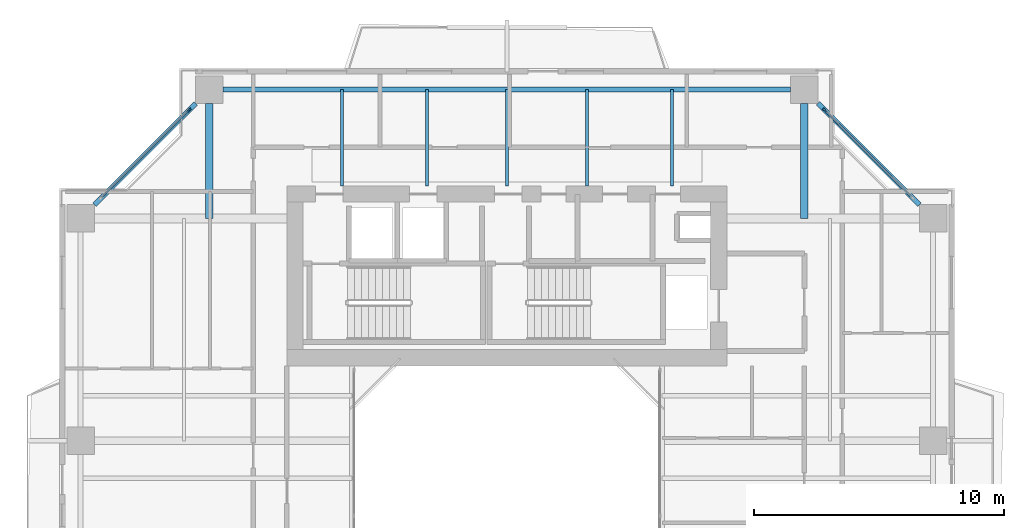
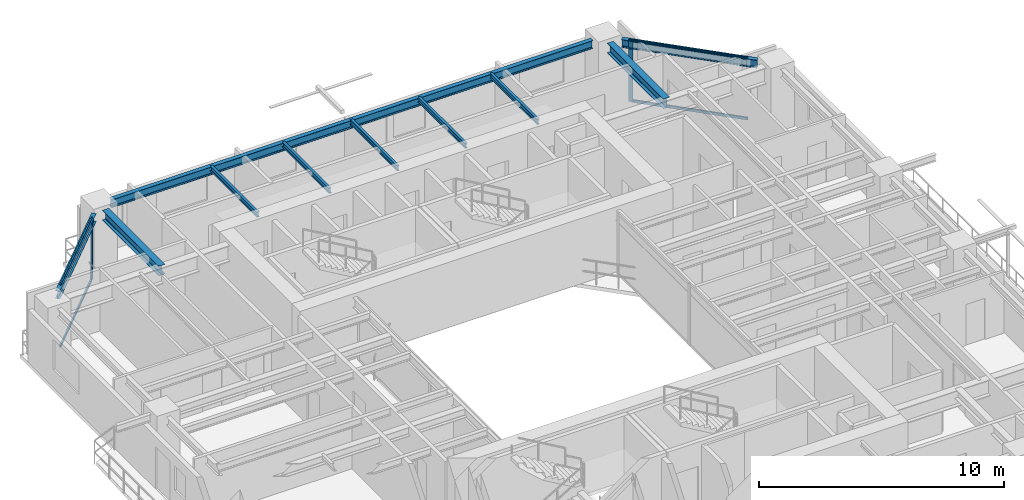
# One storey, part 8 of 17: 10 beams, 6 members, 2 elements without a shape of their own.
"""IFC4 building model written with IfcOpenShell, lengths in metres."""

import ifcopenshell
import ifcopenshell.guid

model = None  # the IFC model being written
_history = None  # IfcOwnerHistory: only IFC2X3 demands one
_inside = {}  # id of a spatial element -> (the spatial element, [elements in it])
_under = {}  # id of a project, library or spatial element -> (it, [spatial elements below it])
_declared = {}  # id of a project -> (the project, [libraries it declares])
_typed = {}  # id of a type object -> (the type object, [elements of that type])
_made_of = {}  # id of a material, layer set ... -> (it, [elements and type objects made of it])


def new_model(schema):
    """Start an empty IFC model of exactly this schema.

    Asked for "IFC4X3", IfcOpenShell would pick the latest addendum, in which some entities
    have other attributes; the version numbers below select the first issue.
    IFC2X3 requires an IfcOwnerHistory on every rooted entity: one is made here for all.
    """
    global model, _history
    if schema == "IFC4X3":
        model = ifcopenshell.file(schema_version=(4, 3, 0, 0))
    else:
        model = ifcopenshell.file(schema=schema)
    _inside.clear()
    _under.clear()
    _declared.clear()
    _typed.clear()
    _made_of.clear()
    _history = None
    if model.schema == "IFC2X3":
        org = make("IfcOrganization", Name="unknown")
        user = make(
            "IfcPersonAndOrganization",
            ThePerson=make("IfcPerson", FamilyName="unknown"),
            TheOrganization=org,
        )
        app = make(
            "IfcApplication",
            ApplicationDeveloper=org,
            Version="unknown",
            ApplicationFullName="unknown",
            ApplicationIdentifier="unknown",
        )
        _history = make(
            "IfcOwnerHistory",
            OwningUser=user,
            OwningApplication=app,
            ChangeAction="ADDED",
            CreationDate=0,
        )
    return model


def make(cls, **values):
    """One entity of the class cls with the attributes given. An attribute that is None is left unset."""
    return model.create_entity(
        cls, **{name: value for name, value in values.items() if value is not None}
    )


def rooted(cls, **values):
    """An entity with a GlobalId (a new one), such as an element, a storey or a relation."""
    return make(cls, GlobalId=ifcopenshell.guid.new(), OwnerHistory=_history, **values)


def si_unit(unit_type, name, prefix=None):
    """IfcSIUnit, for example si_unit("LENGTHUNIT", "METRE", prefix="MILLI")."""
    return make("IfcSIUnit", UnitType=unit_type, Prefix=prefix, Name=name)


def assignment(units):
    """IfcUnitAssignment: the units of a project."""
    return None if units is None else make("IfcUnitAssignment", Units=units)


def point(xyz):
    """IfcCartesianPoint."""
    return None if xyz is None else make("IfcCartesianPoint", Coordinates=xyz)


def direction(xyz):
    """IfcDirection."""
    return None if xyz is None else make("IfcDirection", DirectionRatios=xyz)


def frame(location, z_axis=None, x_axis=None):
    """IfcAxis2Placement3D, a coordinate frame: its origin and axes. An axis left out is left unset."""
    return make(
        "IfcAxis2Placement3D",
        Location=point(location),
        Axis=direction(z_axis),
        RefDirection=direction(x_axis),
    )


def frame_2d(location, x_axis=None):
    """IfcAxis2Placement2D, a coordinate frame in the plane: its origin and x axis."""
    return make(
        "IfcAxis2Placement2D", Location=point(location), RefDirection=direction(x_axis)
    )


def origin():
    """The frame at (0, 0, 0) with its axes left unset."""
    return frame((0.0, 0.0, 0.0))


def origin_2d():
    """The frame at (0, 0) in the plane with its x axis left unset."""
    return frame_2d((0.0, 0.0))


def place(relative_to, where):
    """IfcLocalPlacement: puts the frame where relative to a parent placement (None: the world)."""
    return make(
        "IfcLocalPlacement", PlacementRelTo=relative_to, RelativePlacement=where
    )


def context(
    kind, dimensions, precision=None, world=None, true_north=None, identifier=None
):
    """IfcGeometricRepresentationContext, for example the 3D "Model" context."""
    return make(
        "IfcGeometricRepresentationContext",
        ContextIdentifier=identifier,
        ContextType=kind,
        CoordinateSpaceDimension=dimensions,
        Precision=precision,
        WorldCoordinateSystem=world,
        TrueNorth=true_north,
    )


def subcontext(parent, identifier, kind, view, scale=None):
    """IfcGeometricRepresentationSubContext, for example "Body" below "Model"."""
    return make(
        "IfcGeometricRepresentationSubContext",
        ContextIdentifier=identifier,
        ContextType=kind,
        ParentContext=parent,
        TargetScale=scale,
        TargetView=view,
    )


def project(units=None, contexts=None):
    """IfcProject with its units and contexts."""
    return rooted(
        "IfcProject",
        Name="project",
        RepresentationContexts=contexts,
        UnitsInContext=assignment(units),
    )


def spatial(cls, under=None, at=None, **own):
    """A site, building, storey or space (cls), placed at a placement, below another one or the project."""
    s = rooted(cls, ObjectPlacement=at, **own)
    if under is not None:
        _under.setdefault(under.id(), (under, []))[1].append(s)
    return s


def profile(cls, at=None, kind="AREA", **sizes):
    """A parametric profile (cls). Its sizes go by their IFC names, for example OverallWidth=200.0."""
    return make(cls, ProfileType=kind, Position=at, **sizes)


def rectangle(**sizes):
    """IfcRectangleProfileDef."""
    return profile("IfcRectangleProfileDef", **sizes)


def i_section(**sizes):
    """IfcIShapeProfileDef."""
    return profile("IfcIShapeProfileDef", **sizes)


def extrude(swept, where, along, depth):
    """IfcExtrudedAreaSolid: the profile swept, set in the frame where, extruded along a direction by depth."""
    return make(
        "IfcExtrudedAreaSolid",
        SweptArea=swept,
        Position=where,
        ExtrudedDirection=direction(along),
        Depth=depth,
    )


def shape(context_of_items, identifier, shape_type, items):
    """IfcShapeRepresentation: the items that make up one representation, for example the "Body"."""
    return make(
        "IfcShapeRepresentation",
        ContextOfItems=context_of_items,
        RepresentationIdentifier=identifier,
        RepresentationType=shape_type,
        Items=items,
    )


def source(mapping_origin, context_of_items, identifier, shape_type, items):
    """IfcRepresentationMap: a shape defined once, which mapped items show again and again."""
    return make(
        "IfcRepresentationMap",
        MappingOrigin=mapping_origin,
        MappedRepresentation=shape(context_of_items, identifier, shape_type, items),
    )


def transform(
    local_origin,
    x_axis=None,
    y_axis=None,
    z_axis=None,
    scale=None,
    scale2=None,
    scale3=None,
    uniform=True,
):
    """IfcCartesianTransformationOperator3D, or its non-uniform kind. x_axis, y_axis, z_axis: its Axis1, 2, 3."""
    if uniform:
        return make(
            "IfcCartesianTransformationOperator3D",
            Axis1=direction(x_axis),
            Axis2=direction(y_axis),
            LocalOrigin=point(local_origin),
            Scale=scale,
            Axis3=direction(z_axis),
        )
    return make(
        "IfcCartesianTransformationOperator3DnonUniform",
        Axis1=direction(x_axis),
        Axis2=direction(y_axis),
        LocalOrigin=point(local_origin),
        Scale=scale,
        Axis3=direction(z_axis),
        Scale2=scale2,
        Scale3=scale3,
    )


def mapped(mapping_source, mapping_target):
    """IfcMappedItem: shows the shape of a source again, moved by a transform."""
    return make(
        "IfcMappedItem", MappingSource=mapping_source, MappingTarget=mapping_target
    )


def material(Name=None, Category=None):
    """IfcMaterial."""
    return make("IfcMaterial", Name=Name, Category=Category)


def layer(
    of_material, thickness, ventilated=None, Name=None, Category=None, Priority=None
):
    """IfcMaterialLayer: one layer of a wall or slab, of a material (None: an air gap)."""
    return make(
        "IfcMaterialLayer",
        Material=of_material,
        LayerThickness=thickness,
        IsVentilated=ventilated,
        Name=Name,
        Category=Category,
        Priority=Priority,
    )


def layer_set(layers, Name=None):
    """IfcMaterialLayerSet."""
    return make("IfcMaterialLayerSet", MaterialLayers=layers, LayerSetName=Name)


def material_profile(
    of_material, cross_section, Name=None, Category=None, Priority=None
):
    """IfcMaterialProfile: a cross section and its material."""
    return make(
        "IfcMaterialProfile",
        Name=Name,
        Material=of_material,
        Profile=cross_section,
        Priority=Priority,
        Category=Category,
    )


def profile_set(profiles, Name=None, composite=None):
    """IfcMaterialProfileSet."""
    return make(
        "IfcMaterialProfileSet",
        Name=Name,
        MaterialProfiles=profiles,
        CompositeProfile=composite,
    )


def made_of(thing, what):
    """Note that an element or type object is made of a material, layer set ...; save() writes the relation."""
    if what is not None:
        _made_of.setdefault(what.id(), (what, []))[1].append(thing)
    return thing


def type_object(cls, material=None, **own):
    """A type object (cls), such as IfcWallType, which elements share."""
    return made_of(rooted(cls, **own), material)


def element(
    cls,
    number,
    at=None,
    inside=None,
    cuts=None,
    type_object=None,
    material=None,
    context=None,
    identifier="Body",
    shape_type=None,
    held_by="IfcProductDefinitionShape",
    body=None,
    shapes=None,
    **own,
):
    """One element of the class cls, such as IfcWall. Its Tag is "e" and its number.

    at: its placement. inside: the storey or other place that contains it. cuts: it is an
    opening in that element (IfcRelVoidsElement). A single representation is given by context,
    identifier, shape_type and body (its items); several are given by shapes. held_by: the class
    of the entity that holds the representations. save() writes the other relations.
    """
    e = rooted(cls, Tag="e%d" % number, ObjectPlacement=at, **own)
    if body is not None:
        shapes = [shape(context, identifier, shape_type, body)]
    if shapes is not None:
        e.Representation = make(held_by, Representations=shapes)
    if inside is not None:
        _inside.setdefault(inside.id(), (inside, []))[1].append(e)
    if cuts is not None:
        rooted(
            "IfcRelVoidsElement", RelatingBuildingElement=cuts, RelatedOpeningElement=e
        )
    if type_object is not None:
        _typed.setdefault(type_object.id(), (type_object, []))[1].append(e)
    return made_of(e, material)


def aggregate(whole, parts):
    """IfcRelAggregates: a whole, such as a stair, and the parts it consists of."""
    return rooted("IfcRelAggregates", RelatingObject=whole, RelatedObjects=parts)


def save(model, path):
    """Write the relations noted so far, then the file.

    IfcRelAggregates (storeys below a building ...), IfcRelContainedInSpatialStructure (elements
    in a storey), IfcRelDefinesByType, IfcRelAssociatesMaterial and IfcRelDeclares: one each for
    every whole, place, type object, material and project.
    """
    for whole, parts in _under.values():
        aggregate(whole, parts)
    for where, things in _inside.values():
        rooted(
            "IfcRelContainedInSpatialStructure",
            RelatedElements=things,
            RelatingStructure=where,
        )
    for kind, things in _typed.values():
        rooted("IfcRelDefinesByType", RelatedObjects=things, RelatingType=kind)
    for what, things in _made_of.values():
        rooted("IfcRelAssociatesMaterial", RelatedObjects=things, RelatingMaterial=what)
    for by, libraries in _declared.values():
        rooted("IfcRelDeclares", RelatingContext=by, RelatedDefinitions=libraries)
    model.write(path)


model = new_model("IFC4")

# Units and contexts
model_context = context("Model", 3, precision=1e-05, world=origin(), true_north=direction((0.0, 1.0)))
body_context = subcontext(model_context, "Body", "Model", "MODEL_VIEW")
ifc_project = project(units=[si_unit("LENGTHUNIT", "METRE"), si_unit("AREAUNIT", "SQUARE_METRE"), si_unit("VOLUMEUNIT", "CUBIC_METRE"), si_unit("PLANEANGLEUNIT", "RADIAN"), si_unit("MASSUNIT", "GRAM", prefix="KILO"), si_unit("THERMODYNAMICTEMPERATUREUNIT", "KELVIN"), si_unit("POWERUNIT", "WATT")], contexts=[model_context])

# Site, building, storey
site_placement = place(None, origin())
site = spatial("IfcSite", under=ifc_project, at=site_placement, CompositionType="ELEMENT")
building_placement = place(site_placement, origin())
building = spatial("IfcBuilding", under=site, at=building_placement, Name="Qiaomeng Ring Towers", CompositionType="ELEMENT")
storey_placement = place(building_placement, frame((0.0, 0.0, 116.5)))
storey = spatial("IfcBuildingStorey", under=building, at=storey_placement, Name="L33", CompositionType="ELEMENT", Elevation=116.5)

# Beams
ifc_material_1 = material(Name="Steel Q355B", Category="steel")
ifc_material_profile_1 = material_profile(ifc_material_1, i_section(OverallWidth=0.199951171875, OverallDepth=0.39990234375, WebThickness=0.008056640625, FlangeThickness=0.012939453125, FilletRadius=0.01611328125, at=origin_2d()), Name="HN 400x200x8x13")
ifc_profile_set_1 = profile_set([ifc_material_profile_1], Name="Steel Q355B")
beam_type_1 = type_object("IfcBeamType", Name="STR-BM-HN400", PredefinedType="SPANDREL", material=ifc_profile_set_1)
shared_shape_1 = source(origin(), body_context, "Body", "SweptSolid", [
    extrude(i_section(OverallWidth=0.199951171875, OverallDepth=0.39990234375, WebThickness=0.008056640625, FlangeThickness=0.012939453125, FilletRadius=0.01611328125, at=origin_2d()), origin(), (0.0, 0.0, 1.0), 22.7021484375),
])
beam_placement = place(storey_placement, frame((30.35107421875, 40.050048828125, 2.8701171875), z_axis=(-1.0, 0.0, 0.0), x_axis=(0.0, -1.0, 0.0)))
element("IfcBeam", 1, at=beam_placement, inside=storey, type_object=beam_type_1, Name="L33 beam STR-SP-L33-T1-N2-N1", PredefinedType="SPANDREL", context=body_context, shape_type="MappedRepresentation", body=[
    mapped(shared_shape_1, transform((0.0, 0.0, 0.0), x_axis=(1.0, 0.0, 0.0), y_axis=(0.0, 1.0, 0.0), z_axis=(0.0, 0.0, 1.0), scale=1.0)),
])
shared_shape_2 = source(origin(), body_context, "Body", "SweptSolid", [
    extrude(i_section(OverallWidth=0.199951171875, OverallDepth=0.39990234375, WebThickness=0.008056640625, FlangeThickness=0.012939453125, FilletRadius=0.01611328125, at=origin_2d()), origin(), (0.0, 0.0, 1.0), 5.729736328125),
])
for number, where, z_axis, x_axis, name in (
    (2, (35.500732421875, 35.44921875, 2.8701171875), (-0.707106781187, 0.707106781187, 0.0), (-0.707106781187, -0.707106781187, 0.0), "L33 beam STR-SP-L33-T1-E4-N2"),
    (3, (6.55078125, 39.500732421875, 2.8701171875), (-0.707106781187, -0.707106781187, 0.0), (0.707106781187, -0.707106781187, 0.0), "L33 beam STR-SP-L33-T1-N1-W4"),
):
    element("IfcBeam", number, at=place(storey_placement, frame(where, z_axis=z_axis, x_axis=x_axis)), inside=storey, type_object=beam_type_1, Name=name, PredefinedType="SPANDREL", context=body_context, shape_type="MappedRepresentation", body=[
        mapped(shared_shape_2, transform((0.0, 0.0, 0.0), x_axis=(1.0, 0.0, 0.0), y_axis=(0.0, 1.0, 0.0), z_axis=(0.0, 0.0, 1.0), scale=1.0)),
    ])
ifc_material_profile_2 = material_profile(ifc_material_1, i_section(OverallWidth=0.300048828125, OverallDepth=0.488037109375, WebThickness=0.010986328125, FlangeThickness=0.01806640625, FilletRadius=0.02587890625, at=origin_2d()), Name="HM 488x300x11x18")
ifc_profile_set_2 = profile_set([ifc_material_profile_2], Name="Steel Q355B")
beam_type_2 = type_object("IfcBeamType", Name="STR-BM-HM488", PredefinedType="BEAM", material=ifc_profile_set_2)
shared_shape_3 = source(origin(), body_context, "Body", "SweptSolid", [
    extrude(i_section(OverallWidth=0.300048828125, OverallDepth=0.488037109375, WebThickness=0.010986328125, FlangeThickness=0.01806640625, FilletRadius=0.02587890625, at=origin_2d()), origin(), (0.0, 0.0, 1.0), 4.60107421875),
])
for number, where, z_axis, x_axis, name in (
    (4, (7.10009765625, 39.5009765625, 2.825927734375), (0.0, -1.0, 0.0), (1.0, 0.0, 0.0), "L33 beam STR-BM-L33-T1-RAD-N1"),
    (5, (30.89990234375, 39.5009765625, 2.825927734375), (0.0, -1.0, 0.0), (1.0, 0.0, 0.0), "L33 beam STR-BM-L33-T1-RAD-N2"),
):
    element("IfcBeam", number, at=place(storey_placement, frame(where, z_axis=z_axis, x_axis=x_axis)), inside=storey, type_object=beam_type_2, Name=name, PredefinedType="BEAM", context=body_context, shape_type="MappedRepresentation", body=[
        mapped(shared_shape_3, transform((0.0, 0.0, 0.0), x_axis=(1.0, 0.0, 0.0), y_axis=(0.0, 1.0, 0.0), z_axis=(0.0, 0.0, 1.0), scale=1.0)),
    ])
ifc_material_profile_3 = material_profile(ifc_material_1, i_section(OverallWidth=0.125, OverallDepth=0.25, WebThickness=0.006103515625, FlangeThickness=0.009033203125, FilletRadius=0.011962890625, at=origin_2d()), Name="HN 250x125x6x9")
ifc_profile_set_3 = profile_set([ifc_material_profile_3], Name="Steel Q355B")
beam_type_3 = type_object("IfcBeamType", Name="STR-BM-HN250", PredefinedType="JOIST", material=ifc_profile_set_3)
shared_shape_4 = source(origin(), body_context, "Body", "SweptSolid", [
    extrude(i_section(OverallWidth=0.125, OverallDepth=0.25, WebThickness=0.006103515625, FlangeThickness=0.009033203125, FilletRadius=0.011962890625, at=origin_2d()), origin(), (0.0, 0.0, 1.0), 3.85009765625),
])
for number, where, z_axis, x_axis, name in (
    (6, (12.39990234375, 36.199951171875, 2.945068359375), (0.0, 1.0, 0.0), (-1.0, 0.0, 0.0), "L33 beam STR-JST-L33-T1N-1"),
    (7, (15.800048828125, 36.199951171875, 2.945068359375), (0.0, 1.0, 0.0), (-1.0, 0.0, 0.0), "L33 beam STR-JST-L33-T1N-2"),
    (8, (19.0, 36.199951171875, 2.945068359375), (0.0, 1.0, 0.0), (-1.0, 0.0, 0.0), "L33 beam STR-JST-L33-T1N-3"),
    (9, (22.199951171875, 36.199951171875, 2.945068359375), (0.0, 1.0, 0.0), (-1.0, 0.0, 0.0), "L33 beam STR-JST-L33-T1N-4"),
    (10, (25.60009765625, 36.199951171875, 2.945068359375), (0.0, 1.0, 0.0), (-1.0, 0.0, 0.0), "L33 beam STR-JST-L33-T1N-5"),
):
    element("IfcBeam", number, at=place(storey_placement, frame(where, z_axis=z_axis, x_axis=x_axis)), inside=storey, type_object=beam_type_3, Name=name, PredefinedType="JOIST", context=body_context, shape_type="MappedRepresentation", body=[
        mapped(shared_shape_4, transform((0.0, 0.0, 0.0), x_axis=(1.0, 0.0, 0.0), y_axis=(0.0, 1.0, 0.0), z_axis=(0.0, 0.0, 1.0), scale=1.0)),
    ])

# Curtain wall, member
ifc_material_2 = material(Name="Fluorocarbon dark-grey aluminium", Category="aluminium")
ifc_layer = layer(ifc_material_2, 0.14990234375, Name="Fluorocarbon dark-grey aluminium")
ifc_layer_set = layer_set([ifc_layer], Name="Fluorocarbon dark-grey aluminium")
curtain_wall_type = type_object("IfcCurtainWallType", Name="ARC-CW-3", PredefinedType="NOTDEFINED", material=ifc_layer_set)
curtain_wall_1_placement = place(storey_placement, origin())
curtain_wall_1 = element("IfcCurtainWall", 11, at=curtain_wall_1_placement, inside=storey, type_object=curtain_wall_type, Name="L33 Curtain Wall CW3", PredefinedType="NOTDEFINED")
ifc_material_profile_4 = material_profile(ifc_material_2, rectangle(XDim=0.070068359375, YDim=0.179931640625, at=origin_2d()), Name="ALU MULL 70x180")
ifc_profile_set_4 = profile_set([ifc_material_profile_4], Name="Fluorocarbon dark-grey aluminium")
member_type_1 = type_object("IfcMemberType", Name="ARC-CWM-160", PredefinedType="MULLION", material=ifc_profile_set_4)
shared_shape_5 = source(origin(), body_context, "Body", "SweptSolid", [
    extrude(rectangle(XDim=0.070068359375, YDim=0.179931640625, at=origin_2d()), origin(), (0.0, 0.0, 1.0), 3.070068359375),
])
member_1_placement = place(storey_placement, frame((31.71484375, 39.2353515625, 0.0), z_axis=(0.0, 0.0, 1.0), x_axis=(-0.707106781187, -0.707106781187, 0.0)))
member_1 = element("IfcMember", 12, at=member_1_placement, type_object=member_type_1, Name="CW3 mullion 2", PredefinedType="MULLION", context=body_context, shape_type="MappedRepresentation", body=[
    mapped(shared_shape_5, transform((0.0, 0.0, 0.0), x_axis=(1.0, 0.0, 0.0), y_axis=(0.0, 1.0, 0.0), z_axis=(0.0, 0.0, 1.0), scale=1.0)),
])

curtain_wall_2_placement = place(storey_placement, origin())
curtain_wall_2 = element("IfcCurtainWall", 13, at=curtain_wall_2_placement, inside=storey, type_object=curtain_wall_type, Name="L33 Curtain Wall CW3", PredefinedType="NOTDEFINED")
member_2_placement = place(storey_placement, frame((6.28515625, 39.2353515625, 0.0), z_axis=(0.0, 0.0, 1.0), x_axis=(0.707106781187, -0.707106781187, 0.0)))
member_2 = element("IfcMember", 14, at=member_2_placement, type_object=member_type_1, Name="CW3 mullion 1", PredefinedType="MULLION", context=body_context, shape_type="MappedRepresentation", body=[
    mapped(shared_shape_5, transform((0.0, 0.0, 0.0), x_axis=(1.0, 0.0, 0.0), y_axis=(0.0, 1.0, 0.0), z_axis=(0.0, 0.0, 1.0), scale=1.0)),
])

# Member
ifc_material_profile_5 = material_profile(ifc_material_2, rectangle(XDim=0.06494140625, YDim=0.1298828125, at=origin_2d()), Name="ALU TRAN 65x130")
ifc_profile_set_5 = profile_set([ifc_material_profile_5], Name="Fluorocarbon dark-grey aluminium")
member_type_2 = type_object("IfcMemberType", Name="ARC-CWT-120", PredefinedType="USERDEFINED", material=ifc_profile_set_5)
shared_shape_6 = source(origin(), body_context, "Body", "SweptSolid", [
    extrude(rectangle(XDim=0.06494140625, YDim=0.1298828125, at=origin_2d()), origin(), (0.0, 0.0, 1.0), 4.90869140625),
])
member_3_placement = place(storey_placement, frame((35.21044921875, 35.739501953125, 0.032470703125), z_axis=(-0.707106781187, 0.707106781187, 0.0), x_axis=(-0.707106781187, -0.707106781187, 0.0)))
member_3 = element("IfcMember", 15, at=member_3_placement, type_object=member_type_2, Name="CW3 transom 1.1", ObjectType="TRANSOM", PredefinedType="USERDEFINED", context=body_context, shape_type="MappedRepresentation", body=[
    mapped(shared_shape_6, transform((0.0, 0.0, 0.0), x_axis=(1.0, 0.0, 0.0), y_axis=(0.0, 1.0, 0.0), z_axis=(0.0, 0.0, 1.0), scale=1.0)),
])

member_4_placement = place(storey_placement, frame((35.21044921875, 35.739501953125, 3.03759765625), z_axis=(-0.707106781187, 0.707106781187, 0.0), x_axis=(-0.707106781187, -0.707106781187, 0.0)))
member_4 = element("IfcMember", 16, at=member_4_placement, type_object=member_type_2, Name="CW3 transom 1.2", ObjectType="TRANSOM", PredefinedType="USERDEFINED", context=body_context, shape_type="MappedRepresentation", body=[
    mapped(shared_shape_6, transform((0.0, 0.0, 0.0), x_axis=(1.0, 0.0, 0.0), y_axis=(0.0, 1.0, 0.0), z_axis=(0.0, 0.0, 1.0), scale=1.0)),
])

aggregate(curtain_wall_1, [member_1, member_3, member_4])

member_5_placement = place(storey_placement, frame((6.260498046875, 39.21044921875, 0.032470703125), z_axis=(-0.707106781187, -0.707106781187, 0.0), x_axis=(0.707106781187, -0.707106781187, 0.0)))
member_5 = element("IfcMember", 17, at=member_5_placement, type_object=member_type_2, Name="CW3 transom 1.1", ObjectType="TRANSOM", PredefinedType="USERDEFINED", context=body_context, shape_type="MappedRepresentation", body=[
    mapped(shared_shape_6, transform((0.0, 0.0, 0.0), x_axis=(1.0, 0.0, 0.0), y_axis=(0.0, 1.0, 0.0), z_axis=(0.0, 0.0, 1.0), scale=1.0)),
])

member_6_placement = place(storey_placement, frame((6.260498046875, 39.21044921875, 3.03759765625), z_axis=(-0.707106781187, -0.707106781187, 0.0), x_axis=(0.707106781187, -0.707106781187, 0.0)))
member_6 = element("IfcMember", 18, at=member_6_placement, type_object=member_type_2, Name="CW3 transom 1.2", ObjectType="TRANSOM", PredefinedType="USERDEFINED", context=body_context, shape_type="MappedRepresentation", body=[
    mapped(shared_shape_6, transform((0.0, 0.0, 0.0), x_axis=(1.0, 0.0, 0.0), y_axis=(0.0, 1.0, 0.0), z_axis=(0.0, 0.0, 1.0), scale=1.0)),
])

aggregate(curtain_wall_2, [member_2, member_5, member_6])

save(model, "model.ifc")
